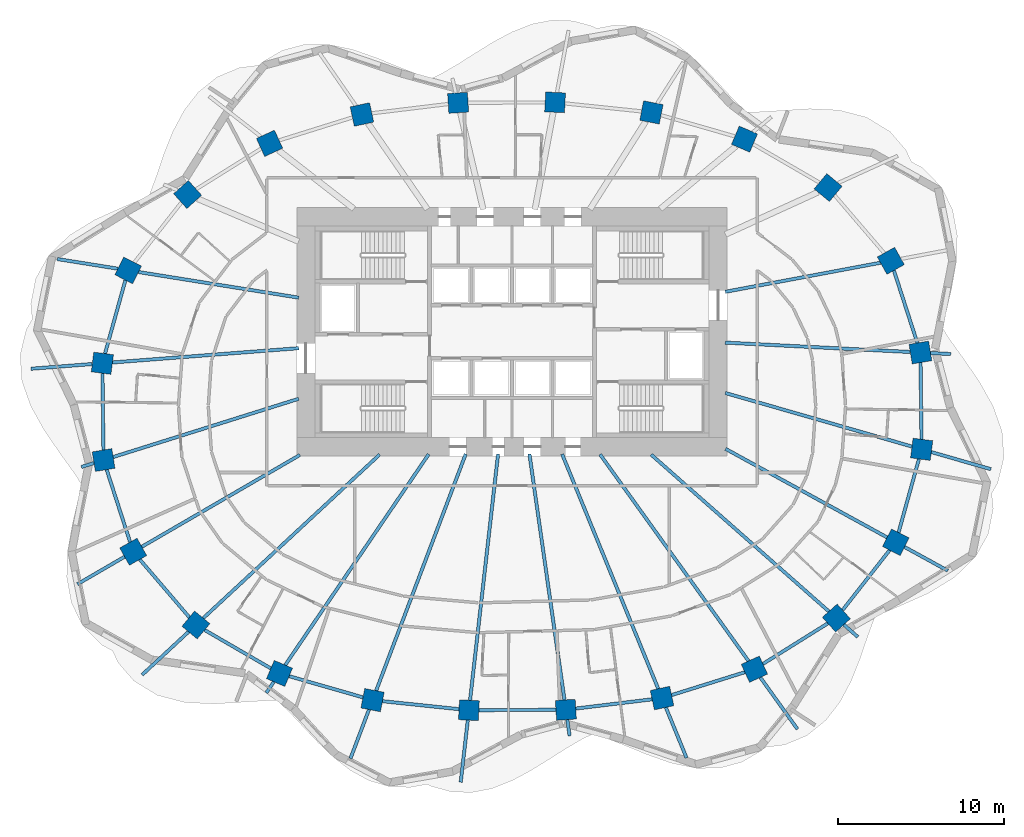
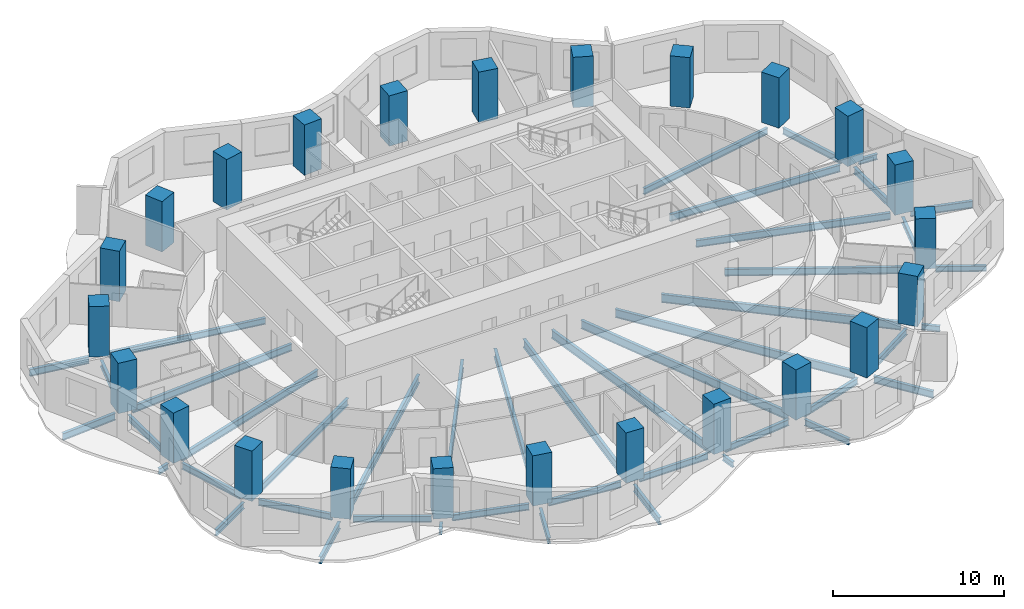
# One storey, part 1 of 10: 46 beams, 24 columns.
"""IFC4 building model written with IfcOpenShell, lengths in metres."""

import ifcopenshell
import ifcopenshell.guid

model = None  # the IFC model being written
_history = None  # IfcOwnerHistory: only IFC2X3 demands one
_inside = {}  # id of a spatial element -> (the spatial element, [elements in it])
_under = {}  # id of a project, library or spatial element -> (it, [spatial elements below it])
_declared = {}  # id of a project -> (the project, [libraries it declares])
_typed = {}  # id of a type object -> (the type object, [elements of that type])
_made_of = {}  # id of a material, layer set ... -> (it, [elements and type objects made of it])


def new_model(schema):
    """Start an empty IFC model of exactly this schema.

    Asked for "IFC4X3", IfcOpenShell would pick the latest addendum, in which some entities
    have other attributes; the version numbers below select the first issue.
    IFC2X3 requires an IfcOwnerHistory on every rooted entity: one is made here for all.
    """
    global model, _history
    if schema == "IFC4X3":
        model = ifcopenshell.file(schema_version=(4, 3, 0, 0))
    else:
        model = ifcopenshell.file(schema=schema)
    _inside.clear()
    _under.clear()
    _declared.clear()
    _typed.clear()
    _made_of.clear()
    _history = None
    if model.schema == "IFC2X3":
        org = make("IfcOrganization", Name="unknown")
        user = make(
            "IfcPersonAndOrganization",
            ThePerson=make("IfcPerson", FamilyName="unknown"),
            TheOrganization=org,
        )
        app = make(
            "IfcApplication",
            ApplicationDeveloper=org,
            Version="unknown",
            ApplicationFullName="unknown",
            ApplicationIdentifier="unknown",
        )
        _history = make(
            "IfcOwnerHistory",
            OwningUser=user,
            OwningApplication=app,
            ChangeAction="ADDED",
            CreationDate=0,
        )
    return model


def make(cls, **values):
    """One entity of the class cls with the attributes given. An attribute that is None is left unset."""
    return model.create_entity(
        cls, **{name: value for name, value in values.items() if value is not None}
    )


def rooted(cls, **values):
    """An entity with a GlobalId (a new one), such as an element, a storey or a relation."""
    return make(cls, GlobalId=ifcopenshell.guid.new(), OwnerHistory=_history, **values)


def si_unit(unit_type, name, prefix=None):
    """IfcSIUnit, for example si_unit("LENGTHUNIT", "METRE", prefix="MILLI")."""
    return make("IfcSIUnit", UnitType=unit_type, Prefix=prefix, Name=name)


def assignment(units):
    """IfcUnitAssignment: the units of a project."""
    return None if units is None else make("IfcUnitAssignment", Units=units)


def point(xyz):
    """IfcCartesianPoint."""
    return None if xyz is None else make("IfcCartesianPoint", Coordinates=xyz)


def direction(xyz):
    """IfcDirection."""
    return None if xyz is None else make("IfcDirection", DirectionRatios=xyz)


def frame(location, z_axis=None, x_axis=None):
    """IfcAxis2Placement3D, a coordinate frame: its origin and axes. An axis left out is left unset."""
    return make(
        "IfcAxis2Placement3D",
        Location=point(location),
        Axis=direction(z_axis),
        RefDirection=direction(x_axis),
    )


def frame_2d(location, x_axis=None):
    """IfcAxis2Placement2D, a coordinate frame in the plane: its origin and x axis."""
    return make(
        "IfcAxis2Placement2D", Location=point(location), RefDirection=direction(x_axis)
    )


def origin():
    """The frame at (0, 0, 0) with its axes left unset."""
    return frame((0.0, 0.0, 0.0))


def origin_2d():
    """The frame at (0, 0) in the plane with its x axis left unset."""
    return frame_2d((0.0, 0.0))


def place(relative_to, where):
    """IfcLocalPlacement: puts the frame where relative to a parent placement (None: the world)."""
    return make(
        "IfcLocalPlacement", PlacementRelTo=relative_to, RelativePlacement=where
    )


def context(
    kind, dimensions, precision=None, world=None, true_north=None, identifier=None
):
    """IfcGeometricRepresentationContext, for example the 3D "Model" context."""
    return make(
        "IfcGeometricRepresentationContext",
        ContextIdentifier=identifier,
        ContextType=kind,
        CoordinateSpaceDimension=dimensions,
        Precision=precision,
        WorldCoordinateSystem=world,
        TrueNorth=true_north,
    )


def subcontext(parent, identifier, kind, view, scale=None):
    """IfcGeometricRepresentationSubContext, for example "Body" below "Model"."""
    return make(
        "IfcGeometricRepresentationSubContext",
        ContextIdentifier=identifier,
        ContextType=kind,
        ParentContext=parent,
        TargetScale=scale,
        TargetView=view,
    )


def project(units=None, contexts=None):
    """IfcProject with its units and contexts."""
    return rooted(
        "IfcProject",
        Name="project",
        RepresentationContexts=contexts,
        UnitsInContext=assignment(units),
    )


def spatial(cls, under=None, at=None, **own):
    """A site, building, storey or space (cls), placed at a placement, below another one or the project."""
    s = rooted(cls, ObjectPlacement=at, **own)
    if under is not None:
        _under.setdefault(under.id(), (under, []))[1].append(s)
    return s


def profile(cls, at=None, kind="AREA", **sizes):
    """A parametric profile (cls). Its sizes go by their IFC names, for example OverallWidth=200.0."""
    return make(cls, ProfileType=kind, Position=at, **sizes)


def rectangle(**sizes):
    """IfcRectangleProfileDef."""
    return profile("IfcRectangleProfileDef", **sizes)


def i_section(**sizes):
    """IfcIShapeProfileDef."""
    return profile("IfcIShapeProfileDef", **sizes)


def extrude(swept, where, along, depth):
    """IfcExtrudedAreaSolid: the profile swept, set in the frame where, extruded along a direction by depth."""
    return make(
        "IfcExtrudedAreaSolid",
        SweptArea=swept,
        Position=where,
        ExtrudedDirection=direction(along),
        Depth=depth,
    )


def shape(context_of_items, identifier, shape_type, items):
    """IfcShapeRepresentation: the items that make up one representation, for example the "Body"."""
    return make(
        "IfcShapeRepresentation",
        ContextOfItems=context_of_items,
        RepresentationIdentifier=identifier,
        RepresentationType=shape_type,
        Items=items,
    )


def material(Name=None, Category=None):
    """IfcMaterial."""
    return make("IfcMaterial", Name=Name, Category=Category)


def material_profile(
    of_material, cross_section, Name=None, Category=None, Priority=None
):
    """IfcMaterialProfile: a cross section and its material."""
    return make(
        "IfcMaterialProfile",
        Name=Name,
        Material=of_material,
        Profile=cross_section,
        Priority=Priority,
        Category=Category,
    )


def profile_set(profiles, Name=None, composite=None):
    """IfcMaterialProfileSet."""
    return make(
        "IfcMaterialProfileSet",
        Name=Name,
        MaterialProfiles=profiles,
        CompositeProfile=composite,
    )


def made_of(thing, what):
    """Note that an element or type object is made of a material, layer set ...; save() writes the relation."""
    if what is not None:
        _made_of.setdefault(what.id(), (what, []))[1].append(thing)
    return thing


def type_object(cls, material=None, **own):
    """A type object (cls), such as IfcWallType, which elements share."""
    return made_of(rooted(cls, **own), material)


def element(
    cls,
    number,
    at=None,
    inside=None,
    cuts=None,
    type_object=None,
    material=None,
    context=None,
    identifier="Body",
    shape_type=None,
    held_by="IfcProductDefinitionShape",
    body=None,
    shapes=None,
    **own,
):
    """One element of the class cls, such as IfcWall. Its Tag is "e" and its number.

    at: its placement. inside: the storey or other place that contains it. cuts: it is an
    opening in that element (IfcRelVoidsElement). A single representation is given by context,
    identifier, shape_type and body (its items); several are given by shapes. held_by: the class
    of the entity that holds the representations. save() writes the other relations.
    """
    e = rooted(cls, Tag="e%d" % number, ObjectPlacement=at, **own)
    if body is not None:
        shapes = [shape(context, identifier, shape_type, body)]
    if shapes is not None:
        e.Representation = make(held_by, Representations=shapes)
    if inside is not None:
        _inside.setdefault(inside.id(), (inside, []))[1].append(e)
    if cuts is not None:
        rooted(
            "IfcRelVoidsElement", RelatingBuildingElement=cuts, RelatedOpeningElement=e
        )
    if type_object is not None:
        _typed.setdefault(type_object.id(), (type_object, []))[1].append(e)
    return made_of(e, material)


def aggregate(whole, parts):
    """IfcRelAggregates: a whole, such as a stair, and the parts it consists of."""
    return rooted("IfcRelAggregates", RelatingObject=whole, RelatedObjects=parts)


def save(model, path):
    """Write the relations noted so far, then the file.

    IfcRelAggregates (storeys below a building ...), IfcRelContainedInSpatialStructure (elements
    in a storey), IfcRelDefinesByType, IfcRelAssociatesMaterial and IfcRelDeclares: one each for
    every whole, place, type object, material and project.
    """
    for whole, parts in _under.values():
        aggregate(whole, parts)
    for where, things in _inside.values():
        rooted(
            "IfcRelContainedInSpatialStructure",
            RelatedElements=things,
            RelatingStructure=where,
        )
    for kind, things in _typed.values():
        rooted("IfcRelDefinesByType", RelatedObjects=things, RelatingType=kind)
    for what, things in _made_of.values():
        rooted("IfcRelAssociatesMaterial", RelatedObjects=things, RelatingMaterial=what)
    for by, libraries in _declared.values():
        rooted("IfcRelDeclares", RelatingContext=by, RelatedDefinitions=libraries)
    model.write(path)


model = new_model("IFC4")

# Units and contexts
model_context = context("Model", 3, precision=1e-05, world=origin(), true_north=direction((0.0, 1.0)))
body_context = subcontext(model_context, "Body", "Model", "MODEL_VIEW")
ifc_project = project(units=[si_unit("LENGTHUNIT", "METRE"), si_unit("AREAUNIT", "SQUARE_METRE"), si_unit("VOLUMEUNIT", "CUBIC_METRE"), si_unit("PLANEANGLEUNIT", "RADIAN"), si_unit("MASSUNIT", "GRAM", prefix="KILO")], contexts=[model_context])

# Site, building, storey
site_placement = place(None, origin())
site = spatial("IfcSite", under=ifc_project, at=site_placement, CompositionType="ELEMENT")
building_placement = place(site_placement, origin())
building = spatial("IfcBuilding", under=site, at=building_placement, Name="Rubra Terraces Tower", CompositionType="ELEMENT")
storey_placement = place(building_placement, frame((0.0, 0.0, 88.800048828125)))
storey = spatial("IfcBuildingStorey", under=building, at=storey_placement, Name="L20", CompositionType="ELEMENT", Elevation=88.800048828125)

# Columns
ifc_material_1 = material(Name="Concrete C60", Category="concrete")
ifc_material_profile_1 = material_profile(ifc_material_1, rectangle(XDim=1.199951171875, YDim=1.199951171875, at=origin_2d()), Name="RC 1200x1200")
ifc_profile_set_1 = profile_set([ifc_material_profile_1], Name="Concrete C60")
column_type = type_object("IfcColumnType", Name="RING COLUMN RC 1200x1200 C60", PredefinedType="COLUMN", material=ifc_profile_set_1)
for number, where, z_axis, x_axis, name in (
    (1, (24.6689453125, 3.248046875, 0.0), (0.0, 0.0, 1.0), (-0.161559167715, 0.986863027642, 0.0), "column-L20-ring-01"),
    (2, (22.87890625, 8.787109375, 0.0), (0.0, 0.0, 1.0), (-0.48852601316, 0.872549330678, 0.0), "column-L20-ring-02"),
    (3, (19.092041015625, 13.208984375, 0.0), (0.0, 0.0, 1.0), (-0.76886986222, 0.63940529789, 0.0), "column-L20-ring-03"),
    (4, (14.0419921875, 16.135986328125, 0.0), (0.0, 0.0, 1.0), (-0.920167856842, 0.391524092789, 0.0), "column-L20-ring-04"),
    (5, (8.422119140625, 17.7490234375, 0.0), (0.0, 0.0, 1.0), (-0.981654668733, 0.19066754143, 0.0), "column-L20-ring-05"),
    (6, (2.60205078125, 18.35791015625, 0.0), (0.0, 0.0, 1.0), (-0.998764256028, 0.049698700995, 0.0), "column-L20-ring-06"),
    (7, (-3.25390625, 18.330078125, 0.0), (0.0, 0.0, 1.0), (-0.998031548759, -0.062713855578, 0.0), "column-L20-ring-07"),
    (8, (-9.06298828125, 17.625, 0.0), (0.0, 0.0, 1.0), (-0.977652674797, -0.210226657352, 0.0), "column-L20-ring-08"),
    (9, (-14.64306640625, 15.881103515625, 0.0), (0.0, 0.0, 1.0), (-0.908778580451, -0.417278673927, 0.0), "column-L20-ring-09"),
    (10, (-19.593017578125, 12.7900390625, 0.0), (0.0, 0.0, 1.0), (-0.744021317198, -0.668155879683, 0.0), "column-L20-ring-10"),
    (11, (-23.18505859375, 8.2099609375, 0.0), (0.0, 0.0, 1.0), (-0.451027931402, -0.892509834733, 0.0), "column-L20-ring-11"),
    (12, (-24.742919921875, 2.59912109375, 0.0), (0.0, 0.0, 1.0), (-0.128443684554, -0.991716804283, 0.0), "column-L20-ring-12"),
    (13, (-24.6689453125, -3.248046875, 0.0), (0.0, 0.0, 1.0), (0.161559167715, -0.986863027642, 0.0), "column-L20-ring-13"),
    (14, (-22.87890625, -8.787109375, 0.0), (0.0, 0.0, 1.0), (0.48852601316, -0.872549330678, 0.0), "column-L20-ring-14"),
    (15, (-19.092041015625, -13.208984375, 0.0), (0.0, 0.0, 1.0), (0.76886986222, -0.63940529789, 0.0), "column-L20-ring-15"),
    (16, (-14.0419921875, -16.135986328125, 0.0), (0.0, 0.0, 1.0), (0.920167856842, -0.391524092789, 0.0), "column-L20-ring-16"),
    (17, (-8.422119140625, -17.7490234375, 0.0), (0.0, 0.0, 1.0), (0.981654668733, -0.19066754143, 0.0), "column-L20-ring-17"),
    (18, (-2.60205078125, -18.35791015625, 0.0), (0.0, 0.0, 1.0), (0.998764256028, -0.049698700995, 0.0), "column-L20-ring-18"),
    (19, (3.25390625, -18.330078125, 0.0), (0.0, 0.0, 1.0), (0.998031548759, 0.062713855578, 0.0), "column-L20-ring-19"),
    (20, (9.06298828125, -17.625, 0.0), (0.0, 0.0, 1.0), (0.977652674797, 0.210226657352, 0.0), "column-L20-ring-20"),
    (21, (14.64306640625, -15.881103515625, 0.0), (0.0, 0.0, 1.0), (0.908778580451, 0.417278673927, 0.0), "column-L20-ring-21"),
    (22, (19.593017578125, -12.7900390625, 0.0), (0.0, 0.0, 1.0), (0.744021317198, 0.668155879683, 0.0), "column-L20-ring-22"),
    (23, (23.18505859375, -8.2099609375, 0.0), (0.0, 0.0, 1.0), (0.451027931402, 0.892509834733, 0.0), "column-L20-ring-23"),
    (24, (24.742919921875, -2.59912109375, 0.0), (0.0, 0.0, 1.0), (0.128443684554, 0.991716804283, 0.0), "column-L20-ring-24"),
):
    element("IfcColumn", number, at=place(storey_placement, frame(where, z_axis=z_axis, x_axis=x_axis)), inside=storey, type_object=column_type, Name=name, PredefinedType="COLUMN", context=body_context, shape_type="SweptSolid", body=[
        extrude(rectangle(XDim=1.199951171875, YDim=1.199951171875, at=origin_2d()), origin(), (0.0, 0.0, 1.0), 3.599853515625),
    ])

# Beams
ifc_material_2 = material(Name="Steel Q355B", Category="steel")
ifc_material_profile_2 = material_profile(ifc_material_2, i_section(OverallWidth=0.199951171875, OverallDepth=0.39990234375, WebThickness=0.008056640625, FlangeThickness=0.012939453125, at=origin_2d()), Name="HN 400x200x8x13")
ifc_profile_set_2 = profile_set([ifc_material_profile_2], Name="Steel Q355B")
beam_type_1 = type_object("IfcBeamType", Name="CANTILEVER BEAM HN 400x200x8x13", PredefinedType="BEAM", material=ifc_profile_set_2)
beam_1_placement = place(storey_placement, frame((-8.637939453125, -18.318115234375, -0.400146484375), z_axis=(-0.353924982786, -0.935273813682, 0.0), x_axis=(0.935273813682, -0.353924982786, 0.0)))
element("IfcBeam", 25, at=beam_1_placement, inside=storey, type_object=beam_type_1, Name="beam-L20-cant-17", PredefinedType="BEAM", context=body_context, shape_type="SweptSolid", body=[
    extrude(i_section(OverallWidth=0.199951171875, OverallDepth=0.39990234375, WebThickness=0.008056640625, FlangeThickness=0.012939453125, at=origin_2d()), origin(), (0.0, 0.0, 1.0), 3.159423828125),
])
beam_2_placement = place(storey_placement, frame((23.7109375, -8.4990234375, -0.400146484375), z_axis=(0.876950651009, -0.480580436238, 0.0), x_axis=(0.480580436238, 0.876950651009, 0.0)))
element("IfcBeam", 26, at=beam_2_placement, inside=storey, type_object=beam_type_1, Name="beam-L20-cant-23", PredefinedType="BEAM", context=body_context, shape_type="SweptSolid", body=[
    extrude(i_section(OverallWidth=0.199951171875, OverallDepth=0.39990234375, WebThickness=0.008056640625, FlangeThickness=0.012939453125, at=origin_2d()), origin(), (0.0, 0.0, 1.0), 2.9775390625),
])
ifc_material_profile_3 = material_profile(ifc_material_2, i_section(OverallWidth=0.198974609375, OverallDepth=0.446044921875, WebThickness=0.008056640625, FlangeThickness=0.011962890625, at=origin_2d()), Name="HN 446x199x8x12")
ifc_profile_set_3 = profile_set([ifc_material_profile_3], Name="Steel Q355B")
beam_type_2 = type_object("IfcBeamType", Name="CANTILEVER BEAM HN 446x199x8x12", PredefinedType="BEAM", material=ifc_profile_set_3)
beam_3_placement = place(storey_placement, frame((-23.39794921875, -9.087890625, -0.423095703125), z_axis=(-0.86464262301, -0.50238743463, 0.0), x_axis=(0.50238743463, -0.86464262301, 0.0)))
element("IfcBeam", 27, at=beam_3_placement, inside=storey, type_object=beam_type_2, Name="beam-L20-cant-14", PredefinedType="BEAM", context=body_context, shape_type="SweptSolid", body=[
    extrude(i_section(OverallWidth=0.198974609375, OverallDepth=0.446044921875, WebThickness=0.008056640625, FlangeThickness=0.011962890625, at=origin_2d()), origin(), (0.0, 0.0, 1.0), 3.29638671875),
])
beam_4_placement = place(storey_placement, frame((9.2939453125, -18.18896484375, -0.423095703125), z_axis=(0.379126606242, -0.925344809484, 0.0), x_axis=(0.925344809484, 0.379126606242, 0.0)))
element("IfcBeam", 28, at=beam_4_placement, inside=storey, type_object=beam_type_2, Name="beam-L20-cant-20", PredefinedType="BEAM", context=body_context, shape_type="SweptSolid", body=[
    extrude(i_section(OverallWidth=0.198974609375, OverallDepth=0.446044921875, WebThickness=0.008056640625, FlangeThickness=0.011962890625, at=origin_2d()), origin(), (0.0, 0.0, 1.0), 3.2919921875),
])
ifc_material_profile_4 = material_profile(ifc_material_2, i_section(OverallWidth=0.198974609375, OverallDepth=0.49609375, WebThickness=0.009033203125, FlangeThickness=0.013916015625, at=origin_2d()), Name="HN 496x199x9x14")
ifc_profile_set_4 = profile_set([ifc_material_profile_4], Name="Steel Q355B")
beam_type_3 = type_object("IfcBeamType", Name="CANTILEVER BEAM HN 496x199x9x14", PredefinedType="BEAM", material=ifc_profile_set_4)
beam_5_placement = place(storey_placement, frame((-23.806884765625, 8.31005859375, -0.447998046875), z_axis=(-0.987475125266, 0.157774766614, 0.0), x_axis=(-0.157774766614, -0.987475125266, 0.0)))
element("IfcBeam", 29, at=beam_5_placement, inside=storey, type_object=beam_type_3, Name="beam-L20-cant-11", PredefinedType="BEAM", context=body_context, shape_type="SweptSolid", body=[
    extrude(i_section(OverallWidth=0.198974609375, OverallDepth=0.49609375, WebThickness=0.009033203125, FlangeThickness=0.013916015625, at=origin_2d()), origin(), (0.0, 0.0, 1.0), 3.70751953125),
])
beam_6_placement = place(storey_placement, frame((-25.35400390625, 2.552001953125, -0.447998046875), z_axis=(-0.997073018081, -0.076455193514, 0.0), x_axis=(0.076455193514, -0.997073018081, 0.0)))
element("IfcBeam", 30, at=beam_6_placement, inside=storey, type_object=beam_type_3, Name="beam-L20-cant-12", PredefinedType="BEAM", context=body_context, shape_type="SweptSolid", body=[
    extrude(i_section(OverallWidth=0.198974609375, OverallDepth=0.49609375, WebThickness=0.009033203125, FlangeThickness=0.013916015625, at=origin_2d()), origin(), (0.0, 0.0, 1.0), 3.7138671875),
])
beam_7_placement = place(storey_placement, frame((-19.535888671875, -13.6201171875, -0.447998046875), z_axis=(-0.733193505832, -0.680020060737, 0.0), x_axis=(0.680020060737, -0.733193505832, 0.0)))
element("IfcBeam", 31, at=beam_7_placement, inside=storey, type_object=beam_type_3, Name="beam-L20-cant-15", PredefinedType="BEAM", context=body_context, shape_type="SweptSolid", body=[
    extrude(i_section(OverallWidth=0.198974609375, OverallDepth=0.49609375, WebThickness=0.009033203125, FlangeThickness=0.013916015625, at=origin_2d()), origin(), (0.0, 0.0, 1.0), 3.82470703125),
])
beam_8_placement = place(storey_placement, frame((-2.669921875, -18.955078125, -0.447998046875), z_axis=(-0.113077962059, -0.993586118309, 0.0), x_axis=(0.993586118309, -0.113077962059, 0.0)))
element("IfcBeam", 32, at=beam_8_placement, inside=storey, type_object=beam_type_3, Name="beam-L20-cant-18", PredefinedType="BEAM", context=body_context, shape_type="SweptSolid", body=[
    extrude(i_section(OverallWidth=0.198974609375, OverallDepth=0.49609375, WebThickness=0.009033203125, FlangeThickness=0.013916015625, at=origin_2d()), origin(), (0.0, 0.0, 1.0), 3.776123046875),
])
beam_9_placement = place(storey_placement, frame((15.0, -16.376953125, -0.447998046875), z_axis=(0.583285233982, -0.812267404134, 0.0), x_axis=(0.812267404134, 0.583285233982, 0.0)))
element("IfcBeam", 33, at=beam_9_placement, inside=storey, type_object=beam_type_3, Name="beam-L20-cant-21", PredefinedType="BEAM", context=body_context, shape_type="SweptSolid", body=[
    extrude(i_section(OverallWidth=0.198974609375, OverallDepth=0.49609375, WebThickness=0.009033203125, FlangeThickness=0.013916015625, at=origin_2d()), origin(), (0.0, 0.0, 1.0), 3.84375),
])
beam_10_placement = place(storey_placement, frame((25.325927734375, -2.76611328125, -0.447998046875), z_axis=(0.961186424696, -0.275899722691, 0.0), x_axis=(0.275899722691, 0.961186424696, 0.0)))
element("IfcBeam", 34, at=beam_10_placement, inside=storey, type_object=beam_type_3, Name="beam-L20-cant-24", PredefinedType="BEAM", context=body_context, shape_type="SweptSolid", body=[
    extrude(i_section(OverallWidth=0.198974609375, OverallDepth=0.49609375, WebThickness=0.009033203125, FlangeThickness=0.013916015625, at=origin_2d()), origin(), (0.0, 0.0, 1.0), 3.74755859375),
])
ifc_material_profile_5 = material_profile(ifc_material_2, i_section(OverallWidth=0.199951171875, OverallDepth=0.39990234375, WebThickness=0.008056640625, FlangeThickness=0.012939453125, at=origin_2d()), Name="HN 400x200x8x13")
ifc_profile_set_5 = profile_set([ifc_material_profile_5], Name="Steel Q355B")
beam_type_4 = type_object("IfcBeamType", Name="CANTILEVER STUB HN 400x200x8x13", PredefinedType="BEAM", material=ifc_profile_set_5)
beam_11_placement = place(storey_placement, frame((25.281982421875, 3.217041015625, -0.400146484375), z_axis=(0.998710628235, -0.05076495889, 0.0), x_axis=(0.05076495889, 0.998710628235, 0.0)))
element("IfcBeam", 35, at=beam_11_placement, inside=storey, type_object=beam_type_4, Name="beam-L20-cant-01", PredefinedType="BEAM", context=body_context, shape_type="SweptSolid", body=[
    extrude(i_section(OverallWidth=0.199951171875, OverallDepth=0.39990234375, WebThickness=0.008056640625, FlangeThickness=0.012939453125, at=origin_2d()), origin(), (0.0, 0.0, 1.0), 1.221435546875),
])
beam_12_placement = place(storey_placement, frame((-25.2470703125, -3.429931640625, -0.400146484375), z_axis=(-0.954158471726, -0.299301872419, 0.0), x_axis=(0.299301872419, -0.954158471726, 0.0)))
element("IfcBeam", 36, at=beam_12_placement, inside=storey, type_object=beam_type_4, Name="beam-L20-cant-13", PredefinedType="BEAM", context=body_context, shape_type="SweptSolid", body=[
    extrude(i_section(OverallWidth=0.199951171875, OverallDepth=0.39990234375, WebThickness=0.008056640625, FlangeThickness=0.012939453125, at=origin_2d()), origin(), (0.0, 0.0, 1.0), 0.798583984375),
])
beam_13_placement = place(storey_placement, frame((-14.385986328125, -16.64208984375, -0.400146484375), z_axis=(-0.562508960897, -0.826791188215, 0.0), x_axis=(0.826791188215, -0.562508960897, 0.0)))
element("IfcBeam", 37, at=beam_13_placement, inside=storey, type_object=beam_type_4, Name="beam-L20-cant-16", PredefinedType="BEAM", context=body_context, shape_type="SweptSolid", body=[
    extrude(i_section(OverallWidth=0.199951171875, OverallDepth=0.39990234375, WebThickness=0.008056640625, FlangeThickness=0.012939453125, at=origin_2d()), origin(), (0.0, 0.0, 1.0), 0.8056640625),
])
beam_14_placement = place(storey_placement, frame((3.339111328125, -18.926025390625, -0.400146484375), z_axis=(0.141042279359, -0.990003573445, 0.0), x_axis=(0.990003573445, 0.141042279359, 0.0)))
element("IfcBeam", 38, at=beam_14_placement, inside=storey, type_object=beam_type_4, Name="beam-L20-cant-19", PredefinedType="BEAM", context=body_context, shape_type="SweptSolid", body=[
    extrude(i_section(OverallWidth=0.199951171875, OverallDepth=0.39990234375, WebThickness=0.008056640625, FlangeThickness=0.012939453125, at=origin_2d()), origin(), (0.0, 0.0, 1.0), 0.991943359375),
])
beam_15_placement = place(storey_placement, frame((20.0458984375, -13.18994140625, -0.400146484375), z_axis=(0.749704782157, -0.661772422825, 0.0), x_axis=(0.661772422825, 0.749704782157, 0.0)))
element("IfcBeam", 39, at=beam_15_placement, inside=storey, type_object=beam_type_4, Name="beam-L20-cant-22", PredefinedType="BEAM", context=body_context, shape_type="SweptSolid", body=[
    extrude(i_section(OverallWidth=0.199951171875, OverallDepth=0.39990234375, WebThickness=0.008056640625, FlangeThickness=0.012939453125, at=origin_2d()), origin(), (0.0, 0.0, 1.0), 1.12451171875),
])
ifc_material_profile_6 = material_profile(ifc_material_2, i_section(OverallWidth=0.198974609375, OverallDepth=0.446044921875, WebThickness=0.008056640625, FlangeThickness=0.011962890625, at=origin_2d()), Name="HN 446x199x8x12")
ifc_profile_set_6 = profile_set([ifc_material_profile_6], Name="Steel Q355B")
beam_type_5 = type_object("IfcBeamType", Name="FLOOR BEAM HN 446x199x8x12", PredefinedType="BEAM", material=ifc_profile_set_6)
beam_16_placement = place(storey_placement, frame((22.257080078125, 8.669921875, -0.423095703125), z_axis=(-0.982909257943, -0.184090713102, 0.0), x_axis=(0.184090713102, -0.982909257943, 0.0)))
element("IfcBeam", 40, at=beam_16_placement, inside=storey, type_object=beam_type_5, Name="beam-L20-floor-02", PredefinedType="BEAM", context=body_context, shape_type="SweptSolid", body=[
    extrude(i_section(OverallWidth=0.198974609375, OverallDepth=0.446044921875, WebThickness=0.008056640625, FlangeThickness=0.011962890625, at=origin_2d()), origin(), (0.0, 0.0, 1.0), 9.5380859375),
])
beam_17_placement = place(storey_placement, frame((-22.56298828125, 8.110107421875, -0.423095703125), z_axis=(0.987438611706, -0.158003126908, 0.0), x_axis=(0.158003126908, 0.987438611706, 0.0)))
element("IfcBeam", 41, at=beam_17_placement, inside=storey, type_object=beam_type_5, Name="beam-L20-floor-11", PredefinedType="BEAM", context=body_context, shape_type="SweptSolid", body=[
    extrude(i_section(OverallWidth=0.198974609375, OverallDepth=0.446044921875, WebThickness=0.008056640625, FlangeThickness=0.011962890625, at=origin_2d()), origin(), (0.0, 0.0, 1.0), 9.803955078125),
])
ifc_material_profile_7 = material_profile(ifc_material_2, i_section(OverallWidth=0.198974609375, OverallDepth=0.49609375, WebThickness=0.009033203125, FlangeThickness=0.013916015625, at=origin_2d()), Name="HN 496x199x9x14")
ifc_profile_set_7 = profile_set([ifc_material_profile_7], Name="Steel Q355B")
beam_type_6 = type_object("IfcBeamType", Name="FLOOR BEAM HN 496x199x9x14", PredefinedType="BEAM", material=ifc_profile_set_7)
beam_18_placement = place(storey_placement, frame((24.055908203125, 3.279052734375, -0.447998046875), z_axis=(-0.998716006853, 0.050659033312, 0.0), x_axis=(-0.050659033312, -0.998716006853, 0.0)))
element("IfcBeam", 42, at=beam_18_placement, inside=storey, type_object=beam_type_6, Name="beam-L20-floor-01", PredefinedType="BEAM", context=body_context, shape_type="SweptSolid", body=[
    extrude(i_section(OverallWidth=0.198974609375, OverallDepth=0.49609375, WebThickness=0.009033203125, FlangeThickness=0.013916015625, at=origin_2d()), origin(), (0.0, 0.0, 1.0), 11.1904296875),
])
beam_19_placement = place(storey_placement, frame((-24.132080078125, 2.64599609375, -0.447998046875), z_axis=(0.99706491124, 0.076560843604, 0.0), x_axis=(-0.076560843604, 0.99706491124, 0.0)))
element("IfcBeam", 43, at=beam_19_placement, inside=storey, type_object=beam_type_6, Name="beam-L20-floor-12", PredefinedType="BEAM", context=body_context, shape_type="SweptSolid", body=[
    extrude(i_section(OverallWidth=0.198974609375, OverallDepth=0.49609375, WebThickness=0.009033203125, FlangeThickness=0.013916015625, at=origin_2d()), origin(), (0.0, 0.0, 1.0), 11.285400390625),
])
beam_20_placement = place(storey_placement, frame((-24.091064453125, -3.06591796875, -0.447998046875), z_axis=(0.954061815263, 0.299609834046, 0.0), x_axis=(-0.299609834046, 0.954061815263, 0.0)))
element("IfcBeam", 44, at=beam_20_placement, inside=storey, type_object=beam_type_6, Name="beam-L20-floor-13", PredefinedType="BEAM", context=body_context, shape_type="SweptSolid", body=[
    extrude(i_section(OverallWidth=0.198974609375, OverallDepth=0.49609375, WebThickness=0.009033203125, FlangeThickness=0.013916015625, at=origin_2d()), origin(), (0.0, 0.0, 1.0), 11.74462890625),
])
beam_21_placement = place(storey_placement, frame((-22.360107421875, -8.486083984375, -0.447998046875), z_axis=(0.864729170152, 0.502238451623, 0.0), x_axis=(-0.502238451623, 0.864729170152, 0.0)))
element("IfcBeam", 45, at=beam_21_placement, inside=storey, type_object=beam_type_6, Name="beam-L20-floor-14", PredefinedType="BEAM", context=body_context, shape_type="SweptSolid", body=[
    extrude(i_section(OverallWidth=0.198974609375, OverallDepth=0.49609375, WebThickness=0.009033203125, FlangeThickness=0.013916015625, at=origin_2d()), origin(), (0.0, 0.0, 1.0), 11.04296875),
])
beam_22_placement = place(storey_placement, frame((22.658935546875, -7.9208984375, -0.447998046875), z_axis=(-0.876910796921, 0.480653153785, 0.0), x_axis=(-0.480653153785, -0.876910796921, 0.0)))
element("IfcBeam", 46, at=beam_22_placement, inside=storey, type_object=beam_type_6, Name="beam-L20-floor-23", PredefinedType="BEAM", context=body_context, shape_type="SweptSolid", body=[
    extrude(i_section(OverallWidth=0.198974609375, OverallDepth=0.49609375, WebThickness=0.009033203125, FlangeThickness=0.013916015625, at=origin_2d()), origin(), (0.0, 0.0, 1.0), 11.134521484375),
])
beam_23_placement = place(storey_placement, frame((24.159912109375, -2.431884765625, -0.447998046875), z_axis=(-0.9612201884, 0.275782068691, 0.0), x_axis=(-0.275782068691, -0.9612201884, 0.0)))
element("IfcBeam", 47, at=beam_23_placement, inside=storey, type_object=beam_type_6, Name="beam-L20-floor-24", PredefinedType="BEAM", context=body_context, shape_type="SweptSolid", body=[
    extrude(i_section(OverallWidth=0.198974609375, OverallDepth=0.49609375, WebThickness=0.009033203125, FlangeThickness=0.013916015625, at=origin_2d()), origin(), (0.0, 0.0, 1.0), 11.729736328125),
])
ifc_material_profile_8 = material_profile(ifc_material_2, i_section(OverallWidth=0.198974609375, OverallDepth=0.595947265625, WebThickness=0.010009765625, FlangeThickness=0.014892578125, at=origin_2d()), Name="HN 596x199x10x15")
ifc_profile_set_8 = profile_set([ifc_material_profile_8], Name="Steel Q355B")
beam_type_7 = type_object("IfcBeamType", Name="FLOOR BEAM HN 596x199x10x15", PredefinedType="BEAM", material=ifc_profile_set_8)
beam_24_placement = place(storey_placement, frame((-18.64794921875, -12.798095703125, -0.498046875), z_axis=(0.733104668463, 0.680115832104, 0.0), x_axis=(-0.680115832104, 0.733104668463, 0.0)))
element("IfcBeam", 48, at=beam_24_placement, inside=storey, type_object=beam_type_7, Name="beam-L20-floor-15", PredefinedType="BEAM", context=body_context, shape_type="SweptSolid", body=[
    extrude(i_section(OverallWidth=0.198974609375, OverallDepth=0.595947265625, WebThickness=0.010009765625, FlangeThickness=0.014892578125, at=origin_2d()), origin(), (0.0, 0.0, 1.0), 14.527099609375),
])
beam_25_placement = place(storey_placement, frame((-13.697998046875, -15.6298828125, -0.498046875), z_axis=(0.562593638313, 0.82673357143, 0.0), x_axis=(-0.82673357143, 0.562593638313, 0.0)))
element("IfcBeam", 49, at=beam_25_placement, inside=storey, type_object=beam_type_7, Name="beam-L20-floor-16", PredefinedType="BEAM", context=body_context, shape_type="SweptSolid", body=[
    extrude(i_section(OverallWidth=0.198974609375, OverallDepth=0.595947265625, WebThickness=0.010009765625, FlangeThickness=0.014892578125, at=origin_2d()), origin(), (0.0, 0.0, 1.0), 15.396728515625),
])
beam_26_placement = place(storey_placement, frame((-8.2060546875, -17.179931640625, -0.498046875), z_axis=(0.35395819717, 0.935261244068, 0.0), x_axis=(-0.935261244068, 0.35395819717, 0.0)))
element("IfcBeam", 50, at=beam_26_placement, inside=storey, type_object=beam_type_7, Name="beam-L20-floor-17", PredefinedType="BEAM", context=body_context, shape_type="SweptSolid", body=[
    extrude(i_section(OverallWidth=0.198974609375, OverallDepth=0.595947265625, WebThickness=0.010009765625, FlangeThickness=0.014892578125, at=origin_2d()), origin(), (0.0, 0.0, 1.0), 15.28125),
])
beam_27_placement = place(storey_placement, frame((-2.533935546875, -17.760986328125, -0.498046875), z_axis=(0.113104280783, 0.993583122677, 0.0), x_axis=(-0.993583122677, 0.113104280783, 0.0)))
element("IfcBeam", 51, at=beam_27_placement, inside=storey, type_object=beam_type_7, Name="beam-L20-floor-18", PredefinedType="BEAM", context=body_context, shape_type="SweptSolid", body=[
    extrude(i_section(OverallWidth=0.198974609375, OverallDepth=0.595947265625, WebThickness=0.010009765625, FlangeThickness=0.014892578125, at=origin_2d()), origin(), (0.0, 0.0, 1.0), 14.97607421875),
])
beam_28_placement = place(storey_placement, frame((3.1689453125, -17.73388671875, -0.498046875), z_axis=(-0.141102399867, 0.989995006428, 0.0), x_axis=(-0.989995006428, -0.141102399867, 0.0)))
element("IfcBeam", 52, at=beam_28_placement, inside=storey, type_object=beam_type_7, Name="beam-L20-floor-19", PredefinedType="BEAM", context=body_context, shape_type="SweptSolid", body=[
    extrude(i_section(OverallWidth=0.198974609375, OverallDepth=0.595947265625, WebThickness=0.010009765625, FlangeThickness=0.014892578125, at=origin_2d()), origin(), (0.0, 0.0, 1.0), 15.0029296875),
])
beam_29_placement = place(storey_placement, frame((8.83203125, -17.06103515625, -0.498046875), z_axis=(-0.379038143634, 0.925381048904, 0.0), x_axis=(-0.925381048904, -0.379038143634, 0.0)))
element("IfcBeam", 53, at=beam_29_placement, inside=storey, type_object=beam_type_7, Name="beam-L20-floor-20", PredefinedType="BEAM", context=body_context, shape_type="SweptSolid", body=[
    extrude(i_section(OverallWidth=0.198974609375, OverallDepth=0.595947265625, WebThickness=0.010009765625, FlangeThickness=0.014892578125, at=origin_2d()), origin(), (0.0, 0.0, 1.0), 15.31494140625),
])
beam_30_placement = place(storey_placement, frame((14.285888671875, -15.385009765625, -0.498046875), z_axis=(-0.583480892091, 0.812126867284, 0.0), x_axis=(-0.812126867284, -0.583480892091, 0.0)))
element("IfcBeam", 54, at=beam_30_placement, inside=storey, type_object=beam_type_7, Name="beam-L20-floor-21", PredefinedType="BEAM", context=body_context, shape_type="SweptSolid", body=[
    extrude(i_section(OverallWidth=0.198974609375, OverallDepth=0.595947265625, WebThickness=0.010009765625, FlangeThickness=0.014892578125, at=origin_2d()), origin(), (0.0, 0.0, 1.0), 15.369384765625),
])
beam_31_placement = place(storey_placement, frame((19.139892578125, -12.389892578125, -0.498046875), z_axis=(-0.749820430817, 0.661641384384, 0.0), x_axis=(-0.661641384384, -0.749820430817, 0.0)))
element("IfcBeam", 55, at=beam_31_placement, inside=storey, type_object=beam_type_7, Name="beam-L20-floor-22", PredefinedType="BEAM", context=body_context, shape_type="SweptSolid", body=[
    extrude(i_section(OverallWidth=0.198974609375, OverallDepth=0.595947265625, WebThickness=0.010009765625, FlangeThickness=0.014892578125, at=origin_2d()), origin(), (0.0, 0.0, 1.0), 14.311279296875),
])
ifc_material_profile_9 = material_profile(ifc_material_2, i_section(OverallWidth=0.198974609375, OverallDepth=0.446044921875, WebThickness=0.008056640625, FlangeThickness=0.011962890625, at=origin_2d()), Name="HN 446x199x8x12")
ifc_profile_set_9 = profile_set([ifc_material_profile_9], Name="Steel Q355B")
beam_type_8 = type_object("IfcBeamType", Name="SPANDREL BEAM HN 446x199x8x12", PredefinedType="SPANDREL", material=ifc_profile_set_9)
beam_32_placement = place(storey_placement, frame((24.48193359375, 3.824951171875, -0.423095703125), z_axis=(-0.307414966872, 0.951575555667, 0.0), x_axis=(-0.951575555667, -0.307414966872, 0.0)))
element("IfcBeam", 56, at=beam_32_placement, inside=storey, type_object=beam_type_8, Name="beam-L20-spandrel-01", PredefinedType="SPANDREL", context=body_context, shape_type="SweptSolid", body=[
    extrude(i_section(OverallWidth=0.198974609375, OverallDepth=0.446044921875, WebThickness=0.008056640625, FlangeThickness=0.011962890625, at=origin_2d()), origin(), (0.0, 0.0, 1.0), 4.60302734375),
])
beam_33_placement = place(storey_placement, frame((-23.34912109375, 7.6201171875, -0.423095703125), z_axis=(-0.26752901479, -0.963549804756, 0.0), x_axis=(0.963549804756, -0.26752901479, 0.0)))
element("IfcBeam", 57, at=beam_33_placement, inside=storey, type_object=beam_type_8, Name="beam-L20-spandrel-11", PredefinedType="SPANDREL", context=body_context, shape_type="SweptSolid", body=[
    extrude(i_section(OverallWidth=0.198974609375, OverallDepth=0.446044921875, WebThickness=0.008056640625, FlangeThickness=0.011962890625, at=origin_2d()), origin(), (0.0, 0.0, 1.0), 4.60498046875),
])
beam_34_placement = place(storey_placement, frame((-24.735107421875, 1.992919921875, -0.423095703125), z_axis=(0.012537869063, -0.999921397831, 0.0), x_axis=(0.999921397831, 0.012537869063, 0.0)))
element("IfcBeam", 58, at=beam_34_placement, inside=storey, type_object=beam_type_8, Name="beam-L20-spandrel-12", PredefinedType="SPANDREL", context=body_context, shape_type="SweptSolid", body=[
    extrude(i_section(OverallWidth=0.198974609375, OverallDepth=0.446044921875, WebThickness=0.008056640625, FlangeThickness=0.011962890625, at=origin_2d()), origin(), (0.0, 0.0, 1.0), 4.63427734375),
])
beam_35_placement = place(storey_placement, frame((-24.48193359375, -3.824951171875, -0.423095703125), z_axis=(0.307414966872, -0.951575555667, 0.0), x_axis=(0.951575555667, 0.307414966872, 0.0)))
element("IfcBeam", 59, at=beam_35_placement, inside=storey, type_object=beam_type_8, Name="beam-L20-spandrel-13", PredefinedType="SPANDREL", context=body_context, shape_type="SweptSolid", body=[
    extrude(i_section(OverallWidth=0.198974609375, OverallDepth=0.446044921875, WebThickness=0.008056640625, FlangeThickness=0.011962890625, at=origin_2d()), origin(), (0.0, 0.0, 1.0), 4.60302734375),
])
beam_36_placement = place(storey_placement, frame((-22.48095703125, -9.251953125, -0.423095703125), z_axis=(0.650428637413, -0.759567368726, 0.0), x_axis=(0.759567368726, 0.650428637413, 0.0)))
element("IfcBeam", 60, at=beam_36_placement, inside=storey, type_object=beam_type_8, Name="beam-L20-spandrel-14", PredefinedType="SPANDREL", context=body_context, shape_type="SweptSolid", body=[
    extrude(i_section(OverallWidth=0.198974609375, OverallDepth=0.446044921875, WebThickness=0.008056640625, FlangeThickness=0.011962890625, at=origin_2d()), origin(), (0.0, 0.0, 1.0), 4.6015625),
])
beam_37_placement = place(storey_placement, frame((-18.56494140625, -13.513916015625, -0.423095703125), z_axis=(0.865116425734, -0.501571101565, 0.0), x_axis=(0.501571101565, 0.865116425734, 0.0)))
element("IfcBeam", 61, at=beam_37_placement, inside=storey, type_object=beam_type_8, Name="beam-L20-spandrel-15", PredefinedType="SPANDREL", context=body_context, shape_type="SweptSolid", body=[
    extrude(i_section(OverallWidth=0.198974609375, OverallDepth=0.446044921875, WebThickness=0.008056640625, FlangeThickness=0.011962890625, at=origin_2d()), origin(), (0.0, 0.0, 1.0), 4.62353515625),
])
beam_38_placement = place(storey_placement, frame((-13.4609375, -16.302978515625, -0.423095703125), z_axis=(0.961195652649, -0.275867572085, 0.0), x_axis=(0.275867572085, 0.961195652649, 0.0)))
element("IfcBeam", 62, at=beam_38_placement, inside=storey, type_object=beam_type_8, Name="beam-L20-spandrel-16", PredefinedType="SPANDREL", context=body_context, shape_type="SweptSolid", body=[
    extrude(i_section(OverallWidth=0.198974609375, OverallDepth=0.446044921875, WebThickness=0.008056640625, FlangeThickness=0.011962890625, at=origin_2d()), origin(), (0.0, 0.0, 1.0), 4.639892578125),
])
beam_39_placement = place(storey_placement, frame((-7.822998046875, -17.81201171875, -0.423095703125), z_axis=(0.994588599148, -0.103891859374, 0.0), x_axis=(0.103891859374, 0.994588599148, 0.0)))
element("IfcBeam", 63, at=beam_39_placement, inside=storey, type_object=beam_type_8, Name="beam-L20-spandrel-17", PredefinedType="SPANDREL", context=body_context, shape_type="SweptSolid", body=[
    extrude(i_section(OverallWidth=0.198974609375, OverallDepth=0.446044921875, WebThickness=0.008056640625, FlangeThickness=0.011962890625, at=origin_2d()), origin(), (0.0, 0.0, 1.0), 4.648193359375),
])
beam_40_placement = place(storey_placement, frame((-2.0009765625, -18.35498046875, -0.423095703125), z_axis=(0.99998885538, 0.004721135025, 0.0), x_axis=(-0.004721135025, 0.99998885538, 0.0)))
element("IfcBeam", 64, at=beam_40_placement, inside=storey, type_object=beam_type_8, Name="beam-L20-spandrel-18", PredefinedType="SPANDREL", context=body_context, shape_type="SweptSolid", body=[
    extrude(i_section(OverallWidth=0.198974609375, OverallDepth=0.446044921875, WebThickness=0.008056640625, FlangeThickness=0.011962890625, at=origin_2d()), origin(), (0.0, 0.0, 1.0), 4.654052734375),
])
beam_41_placement = place(storey_placement, frame((3.85107421875, -18.258056640625, -0.423095703125), z_axis=(0.992713612833, 0.120497646851, 0.0), x_axis=(-0.120497646851, 0.992713612833, 0.0)))
element("IfcBeam", 65, at=beam_41_placement, inside=storey, type_object=beam_type_8, Name="beam-L20-spandrel-19", PredefinedType="SPANDREL", context=body_context, shape_type="SweptSolid", body=[
    extrude(i_section(OverallWidth=0.198974609375, OverallDepth=0.446044921875, WebThickness=0.008056640625, FlangeThickness=0.011962890625, at=origin_2d()), origin(), (0.0, 0.0, 1.0), 4.64794921875),
])
beam_42_placement = place(storey_placement, frame((9.637939453125, -17.445068359375, -0.423095703125), z_axis=(0.954462184919, 0.298331925142, 0.0), x_axis=(-0.298331925142, 0.954462184919, 0.0)))
element("IfcBeam", 66, at=beam_42_placement, inside=storey, type_object=beam_type_8, Name="beam-L20-spandrel-20", PredefinedType="SPANDREL", context=body_context, shape_type="SweptSolid", body=[
    extrude(i_section(OverallWidth=0.198974609375, OverallDepth=0.446044921875, WebThickness=0.008056640625, FlangeThickness=0.011962890625, at=origin_2d()), origin(), (0.0, 0.0, 1.0), 4.63916015625),
])
beam_43_placement = place(storey_placement, frame((15.156005859375, -15.56103515625, -0.423095703125), z_axis=(0.848188188849, 0.529695003089, 0.0), x_axis=(-0.529695003089, 0.848188188849, 0.0)))
element("IfcBeam", 67, at=beam_43_placement, inside=storey, type_object=beam_type_8, Name="beam-L20-spandrel-21", PredefinedType="SPANDREL", context=body_context, shape_type="SweptSolid", body=[
    extrude(i_section(OverallWidth=0.198974609375, OverallDepth=0.446044921875, WebThickness=0.008056640625, FlangeThickness=0.011962890625, at=origin_2d()), origin(), (0.0, 0.0, 1.0), 4.62158203125),
])
beam_44_placement = place(storey_placement, frame((19.968994140625, -12.31103515625, -0.423095703125), z_axis=(0.61694919408, 0.787002980886, 0.0), x_axis=(-0.787002980886, 0.61694919408, 0.0)))
element("IfcBeam", 68, at=beam_44_placement, inside=storey, type_object=beam_type_8, Name="beam-L20-spandrel-22", PredefinedType="SPANDREL", context=body_context, shape_type="SweptSolid", body=[
    extrude(i_section(OverallWidth=0.198974609375, OverallDepth=0.446044921875, WebThickness=0.008056640625, FlangeThickness=0.011962890625, at=origin_2d()), origin(), (0.0, 0.0, 1.0), 4.599853515625),
])
beam_45_placement = place(storey_placement, frame((23.34912109375, -7.6201171875, -0.423095703125), z_axis=(0.26752901479, 0.963549804756, 0.0), x_axis=(-0.963549804756, 0.26752901479, 0.0)))
element("IfcBeam", 69, at=beam_45_placement, inside=storey, type_object=beam_type_8, Name="beam-L20-spandrel-23", PredefinedType="SPANDREL", context=body_context, shape_type="SweptSolid", body=[
    extrude(i_section(OverallWidth=0.198974609375, OverallDepth=0.446044921875, WebThickness=0.008056640625, FlangeThickness=0.011962890625, at=origin_2d()), origin(), (0.0, 0.0, 1.0), 4.60498046875),
])
beam_46_placement = place(storey_placement, frame((24.735107421875, -1.992919921875, -0.423095703125), z_axis=(-0.012537869063, 0.999921397831, 0.0), x_axis=(-0.999921397831, -0.012537869063, 0.0)))
element("IfcBeam", 70, at=beam_46_placement, inside=storey, type_object=beam_type_8, Name="beam-L20-spandrel-24", PredefinedType="SPANDREL", context=body_context, shape_type="SweptSolid", body=[
    extrude(i_section(OverallWidth=0.198974609375, OverallDepth=0.446044921875, WebThickness=0.008056640625, FlangeThickness=0.011962890625, at=origin_2d()), origin(), (0.0, 0.0, 1.0), 4.63427734375),
])

save(model, "model.ifc")
